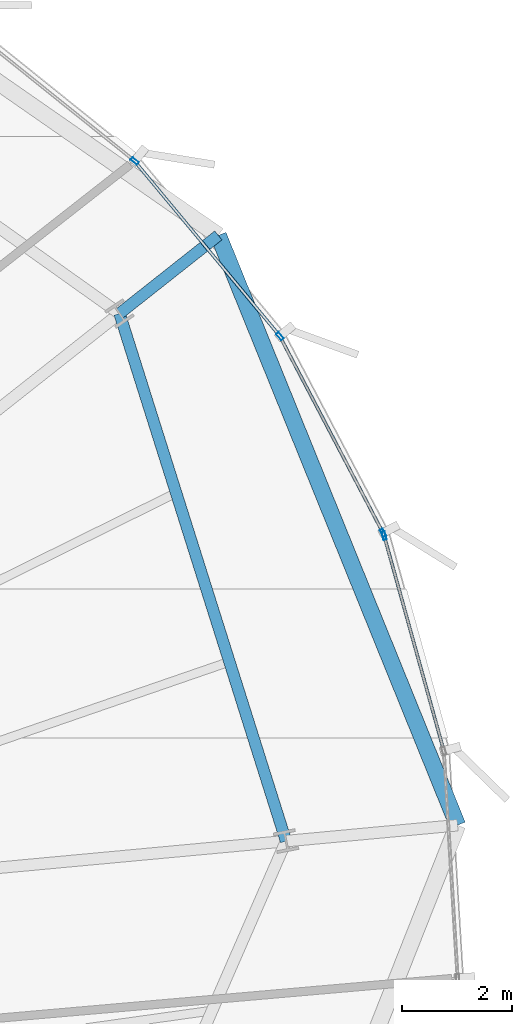
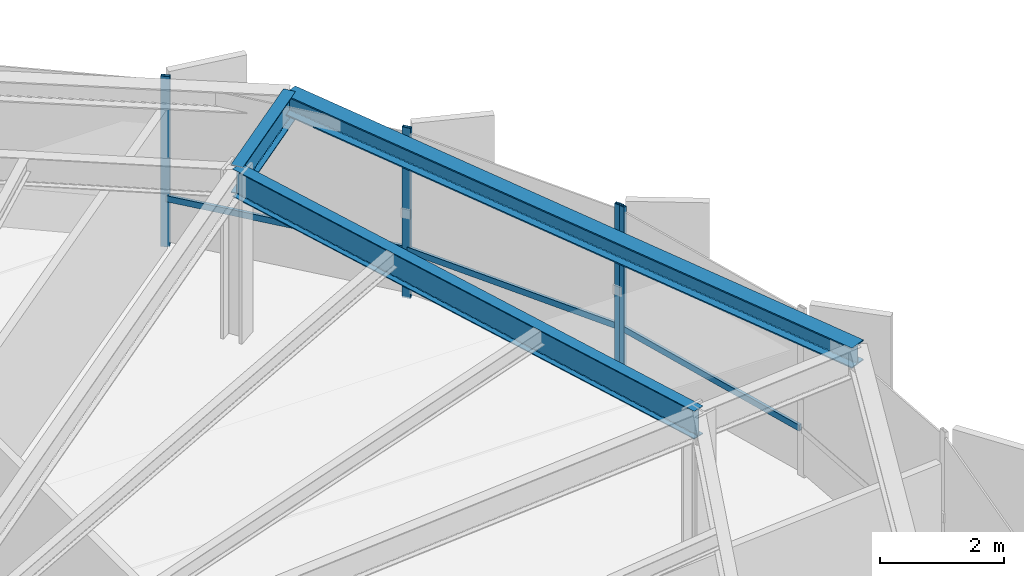
# One storey, part 25 of 35: 7 members, 3 beams, 2 elements without a shape of their own.
"""IFC4 building model written with IfcOpenShell, lengths in metres."""

from ifc_helpers import new_model, si_unit, direction, frame, origin, origin_2d, place, context, subcontext, project, spatial, hollow_rectangle, i_section, extrude, source, transform, mapped, material, layer, layer_set, material_profile, profile_set, type_object, element, aggregate, save


model = new_model("IFC4")

# Units and contexts
model_context = context("Model", 3, precision=1e-05, world=origin(), true_north=direction((0.0, 1.0)))
body_context = subcontext(model_context, "Body", "Model", "MODEL_VIEW")
ifc_project = project(units=[si_unit("LENGTHUNIT", "METRE"), si_unit("AREAUNIT", "SQUARE_METRE"), si_unit("VOLUMEUNIT", "CUBIC_METRE"), si_unit("PLANEANGLEUNIT", "RADIAN"), si_unit("MASSUNIT", "GRAM", prefix="KILO"), si_unit("THERMODYNAMICTEMPERATUREUNIT", "KELVIN")], contexts=[model_context])

# Site, building, storey
site_placement = place(None, origin())
site = spatial("IfcSite", under=ifc_project, at=site_placement, CompositionType="ELEMENT")
building_placement = place(site_placement, origin())
building = spatial("IfcBuilding", under=site, at=building_placement, Name="Kethvar Cultural Tower", CompositionType="ELEMENT")
storey_placement = place(building_placement, frame((0.0, 0.0, 121.60009765625)))
storey = spatial("IfcBuildingStorey", under=building, at=storey_placement, Name="L30", CompositionType="ELEMENT", Elevation=121.60009765625)

# Beams
ifc_material_1 = material(Name="Steel S355J2", Category="steel")
ifc_material_profile_1 = material_profile(ifc_material_1, i_section(OverallWidth=0.2099609375, OverallDepth=0.550048828125, WebThickness=0.010986328125, FlangeThickness=0.01708984375, FilletRadius=0.02392578125, at=origin_2d()), Name="Steel S355J2 — IPE550")
ifc_profile_set_1 = profile_set([ifc_material_profile_1], Name="Steel S355J2 — IPE550")
beam_type_1 = type_object("IfcBeamType", Name="BM-IPE550", PredefinedType="BEAM", material=ifc_profile_set_1)
shared_shape_1 = source(origin(), body_context, "Body", "SweptSolid", [
    extrude(i_section(OverallWidth=0.2099609375, OverallDepth=0.550048828125, WebThickness=0.010986328125, FlangeThickness=0.01708984375, FilletRadius=0.02392578125, at=origin_2d()), origin(), (0.0, 0.0, 1.0), 10.079345703125),
])
beam_1_placement = place(storey_placement, frame((71.6025390625, 32.7333984375, 3.072998046875), z_axis=(-0.301007326566, 0.953621827222, 0.0), x_axis=(-0.953621827222, -0.301007326566, 0.0)))
element("IfcBeam", 1, at=beam_1_placement, inside=storey, type_object=beam_type_1, Name="L30 Column Ring Tie Beam CR-01", PredefinedType="BEAM", context=body_context, shape_type="MappedRepresentation", body=[
    mapped(shared_shape_1, transform((0.0, 0.0, 0.0), scale=1.0)),
])
shared_shape_2 = source(origin(), body_context, "Body", "SweptSolid", [
    extrude(i_section(OverallWidth=0.2099609375, OverallDepth=0.550048828125, WebThickness=0.010986328125, FlangeThickness=0.01708984375, FilletRadius=0.02392578125, at=origin_2d()), origin(), (0.0, 0.0, 1.0), 2.294677734375),
])
beam_2_placement = place(storey_placement, frame((68.568603515625, 42.34521484375, 3.072998046875), z_axis=(0.784643051869, 0.619947805185, 0.0), x_axis=(-0.619947805185, 0.784643051869, 0.0)))
element("IfcBeam", 2, at=beam_2_placement, inside=storey, type_object=beam_type_1, Name="L30 Perimeter Cantilever Beam RC-02", PredefinedType="BEAM", context=body_context, shape_type="MappedRepresentation", body=[
    mapped(shared_shape_2, transform((0.0, 0.0, 0.0), scale=1.0)),
])
ifc_material_profile_2 = material_profile(ifc_material_1, i_section(OverallWidth=0.300048828125, OverallDepth=0.39990234375, WebThickness=0.013427734375, FlangeThickness=0.02392578125, FilletRadius=0.027099609375, at=origin_2d()), Name="Steel S355J2 — HEB400")
ifc_profile_set_2 = profile_set([ifc_material_profile_2], Name="Steel S355J2 — HEB400")
beam_type_2 = type_object("IfcBeamType", Name="BM-SP400", PredefinedType="SPANDREL", material=ifc_profile_set_2)
shared_shape_3 = source(origin(), body_context, "Body", "SweptSolid", [
    extrude(i_section(OverallWidth=0.300048828125, OverallDepth=0.39990234375, WebThickness=0.013427734375, FlangeThickness=0.02392578125, FilletRadius=0.027099609375, at=origin_2d()), origin(), (0.0, 0.0, 1.0), 11.594970703125),
])
beam_3_placement = place(storey_placement, frame((74.727294921875, 33.023193359375, 3.14794921875), z_axis=(-0.375869812137, 0.926672479533, 0.0), x_axis=(-0.926672479533, -0.375869812137, 0.0)))
element("IfcBeam", 3, at=beam_3_placement, inside=storey, type_object=beam_type_2, Name="L30 Perimeter Spandrel Beam SP-01", PredefinedType="SPANDREL", context=body_context, shape_type="MappedRepresentation", body=[
    mapped(shared_shape_3, transform((0.0, 0.0, 0.0), scale=1.0)),
])

# Curtain wall, members
ifc_material_2 = material(Name="Aluminium 6063-T6", Category="aluminium")
ifc_layer = layer(ifc_material_2, 0.179931640625, Name="Aluminium 6063-T6", Category="aluminium")
ifc_layer_set = layer_set([ifc_layer], Name="Aluminium 6063-T6 (180 mm)")
curtain_wall_type = type_object("IfcCurtainWallType", Name="CW-SYS-03-Z2", PredefinedType="NOTDEFINED", material=ifc_layer_set)
curtain_wall_1_placement = place(storey_placement, origin())
curtain_wall_1 = element("IfcCurtainWall", 4, at=curtain_wall_1_placement, inside=storey, type_object=curtain_wall_type, Name="L30 Curtain Wall Run 01", PredefinedType="NOTDEFINED")
ifc_material_profile_3 = material_profile(ifc_material_2, hollow_rectangle(XDim=0.06005859375, YDim=0.14990234375, WallThickness=0.0048828125, at=origin_2d()), Name="Aluminium 6063-T6 — RHS150x60x5")
ifc_profile_set_3 = profile_set([ifc_material_profile_3], Name="Aluminium 6063-T6 — RHS150x60x5")
member_type_1 = type_object("IfcMemberType", Name="CW-SYS-03-Z2-MUL", PredefinedType="MULLION", material=ifc_profile_set_3)
shared_shape_4 = source(origin(), body_context, "Body", "SweptSolid", [
    extrude(hollow_rectangle(XDim=0.06005859375, YDim=0.14990234375, WallThickness=0.0048828125, at=origin_2d()), origin(), (0.0, 0.0, 1.0), 3.349853515625),
])
member_1_placement = place(storey_placement, frame((73.369384765625, 38.34814453125, 0.0), z_axis=(0.0, 0.0, 1.0), x_axis=(-0.885458521317, -0.464718416922, 0.0)))
member_1 = element("IfcMember", 5, at=member_1_placement, type_object=member_type_1, Name="CW-L30-R01 Mullion 1", PredefinedType="MULLION", context=body_context, shape_type="MappedRepresentation", body=[
    mapped(shared_shape_4, transform((0.0, 0.0, 0.0), scale=1.0)),
])
member_2_placement = place(storey_placement, frame((71.4912109375, 41.932373046875, 0.0), z_axis=(0.0, 0.0, 1.0), x_axis=(-0.769399555047, -0.638767817516, 0.0)))
member_2 = element("IfcMember", 6, at=member_2_placement, type_object=member_type_1, Name="CW-L30-R01 Mullion 2", PredefinedType="MULLION", context=body_context, shape_type="MappedRepresentation", body=[
    mapped(shared_shape_4, transform((0.0, 0.0, 0.0), scale=1.0)),
])
member_3_placement = place(storey_placement, frame((68.84521484375, 45.123291015625, 0.0), z_axis=(0.0, 0.0, 1.0), x_axis=(-0.626168449228, -0.779687804952, 0.0)))
member_3 = element("IfcMember", 7, at=member_3_placement, type_object=member_type_1, Name="CW-L30-R01 Mullion 3", PredefinedType="MULLION", context=body_context, shape_type="MappedRepresentation", body=[
    mapped(shared_shape_4, transform((0.0, 0.0, 0.0), scale=1.0)),
])

# Curtain wall, member
curtain_wall_2_placement = place(storey_placement, origin())
curtain_wall_2 = element("IfcCurtainWall", 8, at=curtain_wall_2_placement, inside=storey, type_object=curtain_wall_type, Name="L30 Curtain Wall Run 07", PredefinedType="NOTDEFINED")
member_4_placement = place(storey_placement, frame((73.38916015625, 38.298828125, 0.0), z_axis=(0.0, 0.0, 1.0), x_axis=(-0.963588463615, -0.267389739498, 0.0)))
member_4 = element("IfcMember", 9, at=member_4_placement, type_object=member_type_1, Name="CW-L30-R07 Mullion 4", PredefinedType="MULLION", context=body_context, shape_type="MappedRepresentation", body=[
    mapped(shared_shape_4, transform((0.0, 0.0, 0.0), scale=1.0)),
])

# Member
ifc_material_profile_4 = material_profile(ifc_material_2, hollow_rectangle(XDim=0.054931640625, YDim=0.1201171875, WallThickness=0.00390625, at=origin_2d()), Name="Aluminium 6063-T6 — RHS120x55x4")
ifc_profile_set_4 = profile_set([ifc_material_profile_4], Name="Aluminium 6063-T6 — RHS120x55x4")
member_type_2 = type_object("IfcMemberType", Name="CW-SYS-03-Z2-TRN", PredefinedType="USERDEFINED", material=ifc_profile_set_4)
shared_shape_5 = source(origin(), body_context, "Body", "SweptSolid", [
    extrude(hollow_rectangle(XDim=0.054931640625, YDim=0.1201171875, WallThickness=0.00390625, at=origin_2d()), origin(), (0.0, 0.0, 1.0), 4.0234375),
])
member_5_placement = place(storey_placement, frame((73.36767578125, 38.351806640625, 0.949951171875), z_axis=(-0.464748272878, 0.885442851265, 0.0), x_axis=(-0.885442851265, -0.464748272878, 0.0)))
member_5 = element("IfcMember", 10, at=member_5_placement, type_object=member_type_2, Name="CW-L30-R01 Transom 1", ObjectType="TRANSOM", PredefinedType="USERDEFINED", context=body_context, shape_type="MappedRepresentation", body=[
    mapped(shared_shape_5, transform((0.0, 0.0, 0.0), scale=1.0)),
])

shared_shape_6 = source(origin(), body_context, "Body", "SweptSolid", [
    extrude(hollow_rectangle(XDim=0.054931640625, YDim=0.1201171875, WallThickness=0.00390625, at=origin_2d()), origin(), (0.0, 0.0, 1.0), 4.081787109375),
])
member_6_placement = place(storey_placement, frame((71.463623046875, 41.9658203125, 0.949951171875), z_axis=(-0.638800804543, 0.769372167494, 0.0), x_axis=(-0.769372167494, -0.638800804543, 0.0)))
member_6 = element("IfcMember", 11, at=member_6_placement, type_object=member_type_2, Name="CW-L30-R01 Transom 2", ObjectType="TRANSOM", PredefinedType="USERDEFINED", context=body_context, shape_type="MappedRepresentation", body=[
    mapped(shared_shape_6, transform((0.0, 0.0, 0.0), scale=1.0)),
])

aggregate(curtain_wall_1, [member_1, member_2, member_3, member_5, member_6])

shared_shape_7 = source(origin(), body_context, "Body", "SweptSolid", [
    extrude(hollow_rectangle(XDim=0.054931640625, YDim=0.1201171875, WallThickness=0.00390625, at=origin_2d()), origin(), (0.0, 0.0, 1.0), 4.02294921875),
])
member_7_placement = place(storey_placement, frame((74.4658203125, 34.418212890625, 0.949951171875), z_axis=(-0.267387194968, 0.963589169702, 0.0), x_axis=(-0.963589169702, -0.267387194968, 0.0)))
member_7 = element("IfcMember", 12, at=member_7_placement, type_object=member_type_2, Name="CW-L30-R07 Transom 3", ObjectType="TRANSOM", PredefinedType="USERDEFINED", context=body_context, shape_type="MappedRepresentation", body=[
    mapped(shared_shape_7, transform((0.0, 0.0, 0.0), scale=1.0)),
])

aggregate(curtain_wall_2, [member_4, member_7])

save(model, "model.ifc")
